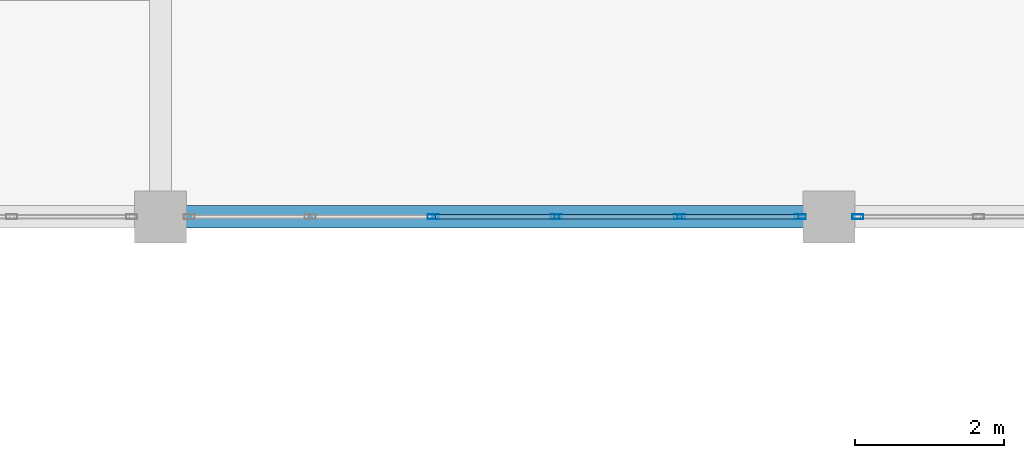
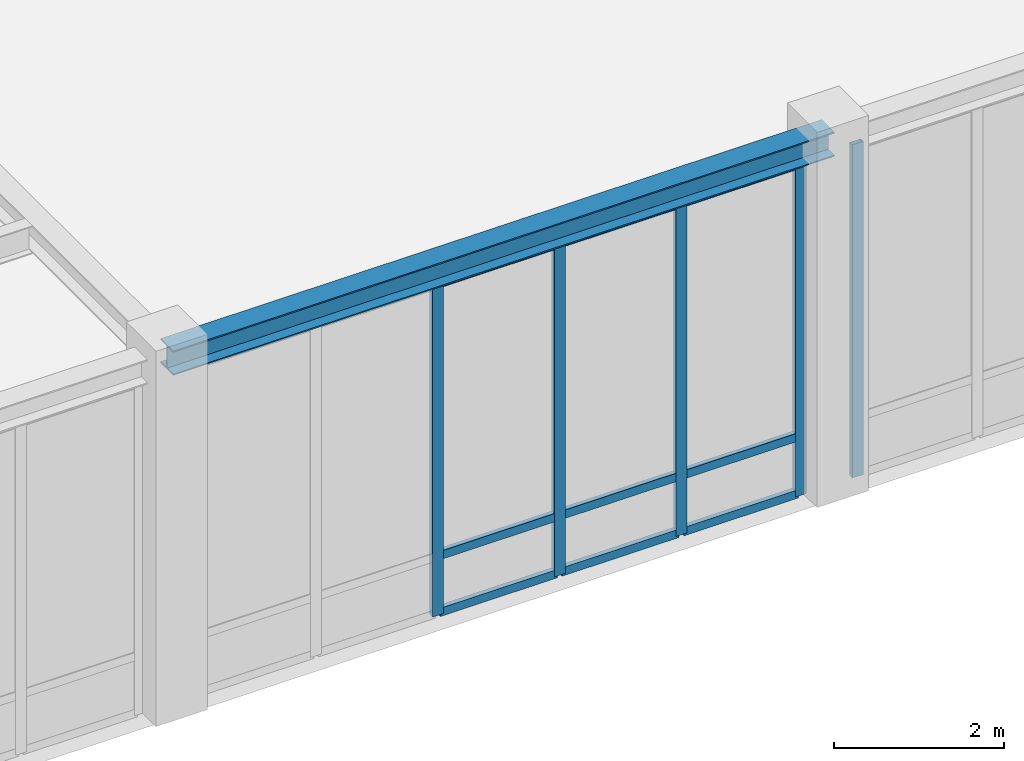
# One storey, part 28 of 77: 14 members, 1 beam, 2 elements without a shape of their own.
"""IFC4 building model written with IfcOpenShell, lengths in metres."""

from ifc_helpers import new_model, si_unit, direction, frame, origin, origin_2d, place, context, subcontext, project, spatial, hollow_rectangle, i_section, extrude, material, material_profile, profile_set, type_object, element, aggregate, save


model = new_model("IFC4")

# Units and contexts
model_context = context("Model", 3, precision=1e-05, world=origin(), true_north=direction((0.0, 1.0)))
body_context = subcontext(model_context, "Body", "Model", "MODEL_VIEW")
ifc_project = project(units=[si_unit("LENGTHUNIT", "METRE"), si_unit("AREAUNIT", "SQUARE_METRE"), si_unit("VOLUMEUNIT", "CUBIC_METRE"), si_unit("PLANEANGLEUNIT", "RADIAN"), si_unit("MASSUNIT", "GRAM", prefix="KILO")], contexts=[model_context])

# Site, building, storey
site_placement = place(None, origin())
site = spatial("IfcSite", under=ifc_project, at=site_placement, CompositionType="ELEMENT")
building_placement = place(site_placement, origin())
building = spatial("IfcBuilding", under=site, at=building_placement, Name="Lykobir Media Centre", CompositionType="ELEMENT")
storey_placement = place(building_placement, origin())
storey = spatial("IfcBuildingStorey", under=building, at=storey_placement, Name="L00", CompositionType="ELEMENT", Elevation=0.0)

# Curtain wall, members
ifc_material_1 = material(Name="Anodized Aluminium AW-6060", Category="aluminium")
curtain_wall_type = type_object("IfcCurtainWallType", Name="CW-COURT-A", PredefinedType="NOTDEFINED", material=ifc_material_1)
curtain_wall_1_placement = place(storey_placement, origin())
curtain_wall_1 = element("IfcCurtainWall", 1, at=curtain_wall_1_placement, inside=storey, type_object=curtain_wall_type, Name="Curtain wall CW2-L00-0021", PredefinedType="NOTDEFINED")
ifc_material_profile_1 = material_profile(ifc_material_1, hollow_rectangle(XDim=0.06494140625, YDim=0.14990234375, WallThickness=0.00341796875, at=origin_2d()), Name="ALU MULLION 65x150")
ifc_profile_set_1 = profile_set([ifc_material_profile_1], Name="Anodized Aluminium AW-6060")
member_type_1 = type_object("IfcMemberType", Name="CWM-150", PredefinedType="MULLION", material=ifc_profile_set_1)
member_1_placement = place(storey_placement, frame((62.612548828125, 63.0, 0.0), z_axis=(0.0, 0.0, 1.0), x_axis=(0.0, -1.0, 0.0)))
member_1 = element("IfcMember", 2, at=member_1_placement, type_object=member_type_1, Name="CW2-L00-0021 mullion 1", PredefinedType="MULLION", context=body_context, shape_type="SweptSolid", body=[
    extrude(hollow_rectangle(XDim=0.06494140625, YDim=0.14990234375, WallThickness=0.00341796875, at=origin_2d()), origin(), (0.0, 0.0, 1.0), 4.794921875),
])
member_2_placement = place(storey_placement, frame((60.987060546875, 63.0, 0.0), z_axis=(0.0, 0.0, 1.0), x_axis=(0.0, -1.0, 0.0)))
member_2 = element("IfcMember", 3, at=member_2_placement, type_object=member_type_1, Name="CW2-L00-0021 mullion 2", PredefinedType="MULLION", context=body_context, shape_type="SweptSolid", body=[
    extrude(hollow_rectangle(XDim=0.06494140625, YDim=0.14990234375, WallThickness=0.00341796875, at=origin_2d()), origin(), (0.0, 0.0, 1.0), 4.794921875),
])
member_3_placement = place(storey_placement, frame((59.3291015625, 63.0, 0.0), z_axis=(0.0, 0.0, 1.0), x_axis=(0.0, -1.0, 0.0)))
member_3 = element("IfcMember", 4, at=member_3_placement, type_object=member_type_1, Name="CW2-L00-0021 mullion 3", PredefinedType="MULLION", context=body_context, shape_type="SweptSolid", body=[
    extrude(hollow_rectangle(XDim=0.06494140625, YDim=0.14990234375, WallThickness=0.00341796875, at=origin_2d()), origin(), (0.0, 0.0, 1.0), 4.794921875),
])
member_4_placement = place(storey_placement, frame((57.6708984375, 63.0, 0.0), z_axis=(0.0, 0.0, 1.0), x_axis=(0.0, -1.0, 0.0)))
member_4 = element("IfcMember", 5, at=member_4_placement, type_object=member_type_1, Name="CW2-L00-0021 mullion 4", PredefinedType="MULLION", context=body_context, shape_type="SweptSolid", body=[
    extrude(hollow_rectangle(XDim=0.06494140625, YDim=0.14990234375, WallThickness=0.00341796875, at=origin_2d()), origin(), (0.0, 0.0, 1.0), 4.794921875),
])

# Curtain wall, member
curtain_wall_2_placement = place(storey_placement, origin())
curtain_wall_2 = element("IfcCurtainWall", 6, at=curtain_wall_2_placement, inside=storey, type_object=curtain_wall_type, Name="Curtain wall CW2-L00-0022", PredefinedType="NOTDEFINED")
member_5_placement = place(storey_placement, frame((63.387451171875, 63.0, 0.0), z_axis=(0.0, 0.0, 1.0), x_axis=(0.0, -1.0, 0.0)))
member_5 = element("IfcMember", 7, at=member_5_placement, type_object=member_type_1, Name="CW2-L00-0022 mullion 6", PredefinedType="MULLION", context=body_context, shape_type="SweptSolid", body=[
    extrude(hollow_rectangle(XDim=0.06494140625, YDim=0.14990234375, WallThickness=0.00341796875, at=origin_2d()), origin(), (0.0, 0.0, 1.0), 4.794921875),
])
aggregate(curtain_wall_2, [member_5])

# Member
ifc_material_profile_2 = material_profile(ifc_material_1, hollow_rectangle(XDim=0.06494140625, YDim=0.1201171875, WallThickness=0.0029296875, at=origin_2d()), Name="ALU TRANSOM 65x120")
ifc_profile_set_2 = profile_set([ifc_material_profile_2], Name="Anodized Aluminium AW-6060")
member_type_2 = type_object("IfcMemberType", Name="CWT-120", PredefinedType="USERDEFINED", material=ifc_profile_set_2)
member_6_placement = place(storey_placement, frame((62.580078125, 63.0, 0.032470703125), z_axis=(-1.0, 0.0, 0.0), x_axis=(0.0, -1.0, 0.0)))
member_6 = element("IfcMember", 8, at=member_6_placement, type_object=member_type_2, Name="CW2-L00-0021 transom 1.1", ObjectType="TRANSOM", PredefinedType="USERDEFINED", context=body_context, shape_type="SweptSolid", body=[
    extrude(hollow_rectangle(XDim=0.06494140625, YDim=0.1201171875, WallThickness=0.0029296875, at=origin_2d()), origin(), (0.0, 0.0, 1.0), 1.560546875),
])

member_7_placement = place(storey_placement, frame((62.580078125, 63.0, 0.85009765625), z_axis=(-1.0, 0.0, 0.0), x_axis=(0.0, -1.0, 0.0)))
member_7 = element("IfcMember", 9, at=member_7_placement, type_object=member_type_2, Name="CW2-L00-0021 transom 1.2", ObjectType="TRANSOM", PredefinedType="USERDEFINED", context=body_context, shape_type="SweptSolid", body=[
    extrude(hollow_rectangle(XDim=0.06494140625, YDim=0.1201171875, WallThickness=0.0029296875, at=origin_2d()), origin(), (0.0, 0.0, 1.0), 1.560546875),
])

member_8_placement = place(storey_placement, frame((62.580078125, 63.0, 4.762451171875), z_axis=(-1.0, 0.0, 0.0), x_axis=(0.0, -1.0, 0.0)))
member_8 = element("IfcMember", 10, at=member_8_placement, type_object=member_type_2, Name="CW2-L00-0021 transom 1.3", ObjectType="TRANSOM", PredefinedType="USERDEFINED", context=body_context, shape_type="SweptSolid", body=[
    extrude(hollow_rectangle(XDim=0.06494140625, YDim=0.1201171875, WallThickness=0.0029296875, at=origin_2d()), origin(), (0.0, 0.0, 1.0), 1.560546875),
])

member_9_placement = place(storey_placement, frame((60.95458984375, 63.0, 0.032470703125), z_axis=(-1.0, 0.0, 0.0), x_axis=(0.0, -1.0, 0.0)))
member_9 = element("IfcMember", 11, at=member_9_placement, type_object=member_type_2, Name="CW2-L00-0021 transom 2.1", ObjectType="TRANSOM", PredefinedType="USERDEFINED", context=body_context, shape_type="SweptSolid", body=[
    extrude(hollow_rectangle(XDim=0.06494140625, YDim=0.1201171875, WallThickness=0.0029296875, at=origin_2d()), origin(), (0.0, 0.0, 1.0), 1.593017578125),
])

member_10_placement = place(storey_placement, frame((60.95458984375, 63.0, 0.85009765625), z_axis=(-1.0, 0.0, 0.0), x_axis=(0.0, -1.0, 0.0)))
member_10 = element("IfcMember", 12, at=member_10_placement, type_object=member_type_2, Name="CW2-L00-0021 transom 2.2", ObjectType="TRANSOM", PredefinedType="USERDEFINED", context=body_context, shape_type="SweptSolid", body=[
    extrude(hollow_rectangle(XDim=0.06494140625, YDim=0.1201171875, WallThickness=0.0029296875, at=origin_2d()), origin(), (0.0, 0.0, 1.0), 1.593017578125),
])

member_11_placement = place(storey_placement, frame((60.95458984375, 63.0, 4.762451171875), z_axis=(-1.0, 0.0, 0.0), x_axis=(0.0, -1.0, 0.0)))
member_11 = element("IfcMember", 13, at=member_11_placement, type_object=member_type_2, Name="CW2-L00-0021 transom 2.3", ObjectType="TRANSOM", PredefinedType="USERDEFINED", context=body_context, shape_type="SweptSolid", body=[
    extrude(hollow_rectangle(XDim=0.06494140625, YDim=0.1201171875, WallThickness=0.0029296875, at=origin_2d()), origin(), (0.0, 0.0, 1.0), 1.593017578125),
])

member_12_placement = place(storey_placement, frame((59.29638671875, 63.0, 0.032470703125), z_axis=(-1.0, 0.0, 0.0), x_axis=(0.0, -1.0, 0.0)))
member_12 = element("IfcMember", 14, at=member_12_placement, type_object=member_type_2, Name="CW2-L00-0021 transom 3.1", ObjectType="TRANSOM", PredefinedType="USERDEFINED", context=body_context, shape_type="SweptSolid", body=[
    extrude(hollow_rectangle(XDim=0.06494140625, YDim=0.1201171875, WallThickness=0.0029296875, at=origin_2d()), origin(), (0.0, 0.0, 1.0), 1.5927734375),
])

member_13_placement = place(storey_placement, frame((59.29638671875, 63.0, 0.85009765625), z_axis=(-1.0, 0.0, 0.0), x_axis=(0.0, -1.0, 0.0)))
member_13 = element("IfcMember", 15, at=member_13_placement, type_object=member_type_2, Name="CW2-L00-0021 transom 3.2", ObjectType="TRANSOM", PredefinedType="USERDEFINED", context=body_context, shape_type="SweptSolid", body=[
    extrude(hollow_rectangle(XDim=0.06494140625, YDim=0.1201171875, WallThickness=0.0029296875, at=origin_2d()), origin(), (0.0, 0.0, 1.0), 1.5927734375),
])

member_14_placement = place(storey_placement, frame((59.29638671875, 63.0, 4.762451171875), z_axis=(-1.0, 0.0, 0.0), x_axis=(0.0, -1.0, 0.0)))
member_14 = element("IfcMember", 16, at=member_14_placement, type_object=member_type_2, Name="CW2-L00-0021 transom 3.3", ObjectType="TRANSOM", PredefinedType="USERDEFINED", context=body_context, shape_type="SweptSolid", body=[
    extrude(hollow_rectangle(XDim=0.06494140625, YDim=0.1201171875, WallThickness=0.0029296875, at=origin_2d()), origin(), (0.0, 0.0, 1.0), 1.5927734375),
])

aggregate(curtain_wall_1, [member_1, member_2, member_3, member_4, member_6, member_7, member_8, member_9, member_10, member_11, member_12, member_13, member_14])

# Beam
ifc_material_2 = material(Name="Steel S355", Category="steel")
ifc_material_profile_3 = material_profile(ifc_material_2, i_section(OverallWidth=0.300048828125, OverallDepth=0.35009765625, WebThickness=0.010009765625, FlangeThickness=0.017578125, at=origin_2d()), Name="HEA 360")
ifc_profile_set_3 = profile_set([ifc_material_profile_3], Name="Steel S355")
beam_type = type_object("IfcBeamType", Name="SP-HEA360", PredefinedType="SPANDREL", material=ifc_profile_set_3)
beam_placement = place(storey_placement, frame((54.0, 63.0, 4.985107421875), z_axis=(1.0, 0.0, 0.0), x_axis=(0.0, 1.0, 0.0)))
element("IfcBeam", 17, at=beam_placement, inside=storey, type_object=beam_type, Name="Beam BM-L00-0540-0630-0630-0630-499", PredefinedType="SPANDREL", context=body_context, shape_type="SweptSolid", body=[
    extrude(i_section(OverallWidth=0.300048828125, OverallDepth=0.35009765625, WebThickness=0.010009765625, FlangeThickness=0.017578125, at=origin_2d()), origin(), (0.0, 0.0, 1.0), 9.0),
])

save(model, "model.ifc")
